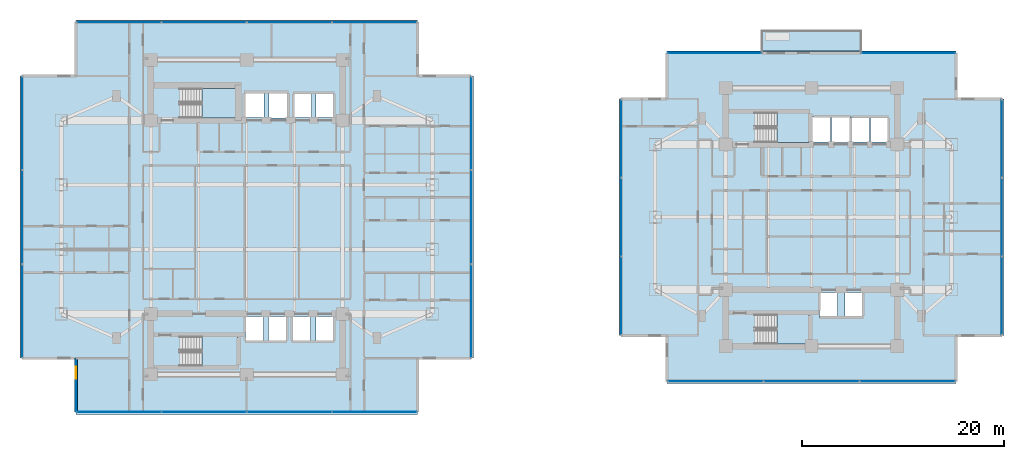
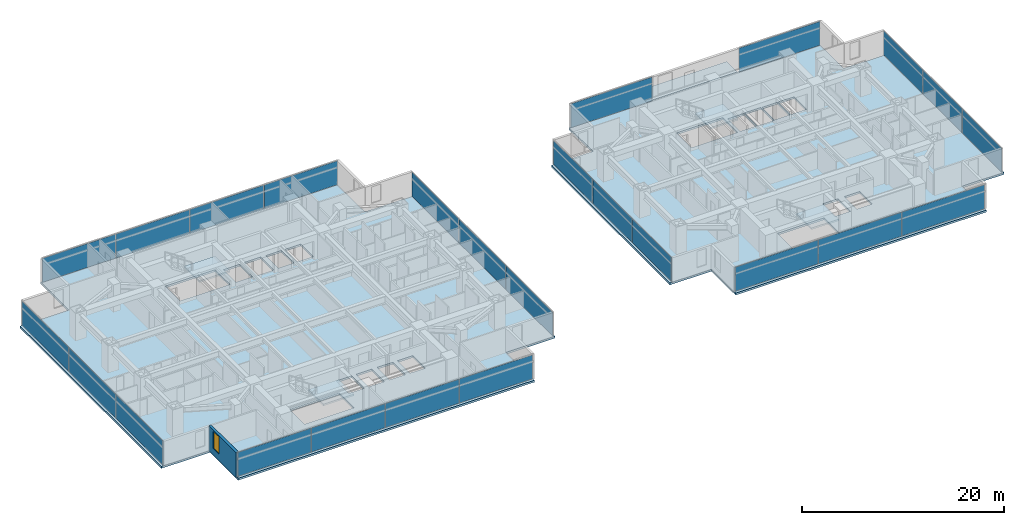
# One storey, part 12 of 24: 25 plates, 7 slabs, 1 wall, 1 window, 1 opening, 13 elements without a shape of their own.
"""IFC4 building model written with IfcOpenShell, lengths in metres."""

from ifc_helpers import new_model, si_unit, direction, frame, frame_2d, origin, origin_2d, place, context, subcontext, project, spatial, polyline, rectangle, outline, extrude, material, layer, layer_set, type_object, element, fill, aggregate, save


model = new_model("IFC4")

# Units and contexts
model_context = context("Model", 3, precision=1e-05, world=origin(), true_north=direction((0.0, 1.0)))
body_context = subcontext(model_context, "Body", "Model", "MODEL_VIEW")
ifc_project = project(units=[si_unit("LENGTHUNIT", "METRE"), si_unit("AREAUNIT", "SQUARE_METRE"), si_unit("VOLUMEUNIT", "CUBIC_METRE"), si_unit("PLANEANGLEUNIT", "RADIAN"), si_unit("MASSUNIT", "GRAM", prefix="KILO")], contexts=[model_context])

# Site, building, storey
site_placement = place(None, origin())
site = spatial("IfcSite", under=ifc_project, at=site_placement, CompositionType="ELEMENT")
building_placement = place(site_placement, origin())
building = spatial("IfcBuilding", under=site, at=building_placement, Name="Mirazonda Arch Towers", CompositionType="ELEMENT")
storey_placement = place(building_placement, frame((0.0, 0.0, 71.89990234375)))
storey = spatial("IfcBuildingStorey", under=building, at=storey_placement, Name="L20", CompositionType="ELEMENT", Elevation=71.89990234375)

# Curtain wall, plates
ifc_material_1 = material(Name="Anodised Aluminium and Low-E Glass", Category="aluminium")
curtain_wall_type = type_object("IfcCurtainWallType", Name="CW-HTL-UNIT", PredefinedType="NOTDEFINED", material=ifc_material_1)
curtain_wall_1_placement = place(storey_placement, origin())
curtain_wall_1 = element("IfcCurtainWall", 1, at=curtain_wall_1_placement, inside=storey, type_object=curtain_wall_type, Name="L20 T1 S Facade CW-L20-T1-S", PredefinedType="NOTDEFINED")
ifc_material_2 = material(Name="Insulated Low-E Solar Glass", Category="glass")
ifc_layer_1 = layer(ifc_material_2, 0.035888671875, Name="PAN-CW-HTL-UNIT")
ifc_layer_set_1 = layer_set([ifc_layer_1], Name="Insulated Low-E Solar Glass")
plate_type = type_object("IfcPlateType", Name="PAN-CW-HTL-UNIT", PredefinedType="CURTAIN_PANEL", material=ifc_layer_set_1)
plate_1_placement = place(storey_placement, frame((33.171142578125, 8.672119140625, 0.0751953125), z_axis=(0.0, 0.0, 1.0), x_axis=(-1.0, 0.0, 0.0)))
plate_1 = element("IfcPlate", 2, at=plate_1_placement, type_object=plate_type, Name="CW-112 panel 1.1", PredefinedType="CURTAIN_PANEL", context=body_context, shape_type="SweptSolid", body=[
    extrude(rectangle(XDim=8.347412109375, YDim=0.035888671875, at=origin_2d()), origin(), (0.0, 0.0, 1.0), 2.889892578125),
])
plate_2_placement = place(storey_placement, frame((24.72998046875, 8.672119140625, 0.0751953125), z_axis=(0.0, 0.0, 1.0), x_axis=(-1.0, 0.0, 0.0)))
plate_2 = element("IfcPlate", 3, at=plate_2_placement, type_object=plate_type, Name="CW-112 panel 2.1", PredefinedType="CURTAIN_PANEL", context=body_context, shape_type="SweptSolid", body=[
    extrude(rectangle(XDim=8.385009765625, YDim=0.035888671875, at=origin_2d()), origin(), (0.0, 0.0, 1.0), 2.889892578125),
])
plate_3_placement = place(storey_placement, frame((16.27001953125, 8.672119140625, 0.0751953125), z_axis=(0.0, 0.0, 1.0), x_axis=(-1.0, 0.0, 0.0)))
plate_3 = element("IfcPlate", 4, at=plate_3_placement, type_object=plate_type, Name="CW-112 panel 3.1", PredefinedType="CURTAIN_PANEL", context=body_context, shape_type="SweptSolid", body=[
    extrude(rectangle(XDim=8.385009765625, YDim=0.035888671875, at=origin_2d()), origin(), (0.0, 0.0, 1.0), 2.889892578125),
])
plate_4_placement = place(storey_placement, frame((7.828857421875, 8.672119140625, 0.0751953125), z_axis=(0.0, 0.0, 1.0), x_axis=(-1.0, 0.0, 0.0)))
plate_4 = element("IfcPlate", 5, at=plate_4_placement, type_object=plate_type, Name="CW-112 panel 4.1", PredefinedType="CURTAIN_PANEL", context=body_context, shape_type="SweptSolid", body=[
    extrude(rectangle(XDim=8.347412109375, YDim=0.035888671875, at=origin_2d()), origin(), (0.0, 0.0, 1.0), 2.889892578125),
])
aggregate(curtain_wall_1, [plate_1, plate_2, plate_3, plate_4])

curtain_wall_2_placement = place(storey_placement, origin())
curtain_wall_2 = element("IfcCurtainWall", 6, at=curtain_wall_2_placement, inside=storey, type_object=curtain_wall_type, Name="L20 T1 E Facade CW-L20-T1-E", PredefinedType="NOTDEFINED")
plate_5_placement = place(storey_placement, frame((42.760009765625, 18.693359375, 0.0751953125), z_axis=(0.0, 0.0, 1.0), x_axis=(0.0, 1.0, 0.0)))
plate_5 = element("IfcPlate", 7, at=plate_5_placement, type_object=plate_type, Name="CW-112 panel 1.1", PredefinedType="CURTAIN_PANEL", context=body_context, shape_type="SweptSolid", body=[
    extrude(rectangle(XDim=9.212890625, YDim=0.035888671875, at=origin_2d()), origin(), (0.0, 0.0, 1.0), 2.889892578125),
])
plate_6_placement = place(storey_placement, frame((42.760009765625, 28.0, 0.0751953125), z_axis=(0.0, 0.0, 1.0), x_axis=(0.0, 1.0, 0.0)))
plate_6 = element("IfcPlate", 8, at=plate_6_placement, type_object=plate_type, Name="CW-112 panel 2.1", PredefinedType="CURTAIN_PANEL", context=body_context, shape_type="SweptSolid", body=[
    extrude(rectangle(XDim=9.250244140625, YDim=0.035888671875, at=origin_2d()), origin(), (0.0, 0.0, 1.0), 2.889892578125),
])
plate_7_placement = place(storey_placement, frame((42.760009765625, 37.306640625, 0.0751953125), z_axis=(0.0, 0.0, 1.0), x_axis=(0.0, 1.0, 0.0)))
plate_7 = element("IfcPlate", 9, at=plate_7_placement, type_object=plate_type, Name="CW-112 panel 3.1", PredefinedType="CURTAIN_PANEL", context=body_context, shape_type="SweptSolid", body=[
    extrude(rectangle(XDim=9.212890625, YDim=0.035888671875, at=origin_2d()), origin(), (0.0, 0.0, 1.0), 2.889892578125),
])
aggregate(curtain_wall_2, [plate_5, plate_6, plate_7])

curtain_wall_3_placement = place(storey_placement, origin())
curtain_wall_3 = element("IfcCurtainWall", 10, at=curtain_wall_3_placement, inside=storey, type_object=curtain_wall_type, Name="L20 T1 N Facade CW-L20-T1-N", PredefinedType="NOTDEFINED")
plate_8_placement = place(storey_placement, frame((7.828857421875, 47.327880859375, 0.0751953125), z_axis=(0.0, 0.0, 1.0), x_axis=(1.0, 0.0, 0.0)))
plate_8 = element("IfcPlate", 11, at=plate_8_placement, type_object=plate_type, Name="CW-112 panel 1.1", PredefinedType="CURTAIN_PANEL", context=body_context, shape_type="SweptSolid", body=[
    extrude(rectangle(XDim=8.347412109375, YDim=0.035888671875, at=origin_2d()), origin(), (0.0, 0.0, 1.0), 2.889892578125),
])
plate_9_placement = place(storey_placement, frame((16.27001953125, 47.327880859375, 0.0751953125), z_axis=(0.0, 0.0, 1.0), x_axis=(1.0, 0.0, 0.0)))
plate_9 = element("IfcPlate", 12, at=plate_9_placement, type_object=plate_type, Name="CW-112 panel 2.1", PredefinedType="CURTAIN_PANEL", context=body_context, shape_type="SweptSolid", body=[
    extrude(rectangle(XDim=8.385009765625, YDim=0.035888671875, at=origin_2d()), origin(), (0.0, 0.0, 1.0), 2.889892578125),
])
plate_10_placement = place(storey_placement, frame((24.72998046875, 47.327880859375, 0.0751953125), z_axis=(0.0, 0.0, 1.0), x_axis=(1.0, 0.0, 0.0)))
plate_10 = element("IfcPlate", 13, at=plate_10_placement, type_object=plate_type, Name="CW-112 panel 3.1", PredefinedType="CURTAIN_PANEL", context=body_context, shape_type="SweptSolid", body=[
    extrude(rectangle(XDim=8.385009765625, YDim=0.035888671875, at=origin_2d()), origin(), (0.0, 0.0, 1.0), 2.889892578125),
])
plate_11_placement = place(storey_placement, frame((33.171142578125, 47.327880859375, 0.0751953125), z_axis=(0.0, 0.0, 1.0), x_axis=(1.0, 0.0, 0.0)))
plate_11 = element("IfcPlate", 14, at=plate_11_placement, type_object=plate_type, Name="CW-112 panel 4.1", PredefinedType="CURTAIN_PANEL", context=body_context, shape_type="SweptSolid", body=[
    extrude(rectangle(XDim=8.347412109375, YDim=0.035888671875, at=origin_2d()), origin(), (0.0, 0.0, 1.0), 2.889892578125),
])
aggregate(curtain_wall_3, [plate_8, plate_9, plate_10, plate_11])

curtain_wall_4_placement = place(storey_placement, origin())
curtain_wall_4 = element("IfcCurtainWall", 15, at=curtain_wall_4_placement, inside=storey, type_object=curtain_wall_type, Name="L20 T1 W Facade CW-L20-T1-W", PredefinedType="NOTDEFINED")
plate_12_placement = place(storey_placement, frame((-1.760009765625, 37.306640625, 0.0751953125), z_axis=(0.0, 0.0, 1.0), x_axis=(0.0, -1.0, 0.0)))
plate_12 = element("IfcPlate", 16, at=plate_12_placement, type_object=plate_type, Name="CW-112 panel 1.1", PredefinedType="CURTAIN_PANEL", context=body_context, shape_type="SweptSolid", body=[
    extrude(rectangle(XDim=9.212890625, YDim=0.035888671875, at=origin_2d()), origin(), (0.0, 0.0, 1.0), 2.889892578125),
])
plate_13_placement = place(storey_placement, frame((-1.760009765625, 28.0, 0.0751953125), z_axis=(0.0, 0.0, 1.0), x_axis=(0.0, -1.0, 0.0)))
plate_13 = element("IfcPlate", 17, at=plate_13_placement, type_object=plate_type, Name="CW-112 panel 2.1", PredefinedType="CURTAIN_PANEL", context=body_context, shape_type="SweptSolid", body=[
    extrude(rectangle(XDim=9.250244140625, YDim=0.035888671875, at=origin_2d()), origin(), (0.0, 0.0, 1.0), 2.889892578125),
])
plate_14_placement = place(storey_placement, frame((-1.760009765625, 18.693359375, 0.0751953125), z_axis=(0.0, 0.0, 1.0), x_axis=(0.0, -1.0, 0.0)))
plate_14 = element("IfcPlate", 18, at=plate_14_placement, type_object=plate_type, Name="CW-112 panel 3.1", PredefinedType="CURTAIN_PANEL", context=body_context, shape_type="SweptSolid", body=[
    extrude(rectangle(XDim=9.212890625, YDim=0.035888671875, at=origin_2d()), origin(), (0.0, 0.0, 1.0), 2.889892578125),
])
aggregate(curtain_wall_4, [plate_12, plate_13, plate_14])

curtain_wall_5_placement = place(storey_placement, origin())
curtain_wall_5 = element("IfcCurtainWall", 19, at=curtain_wall_5_placement, inside=storey, type_object=curtain_wall_type, Name="L20 T2 S Facade CW-L20-T2-S", PredefinedType="NOTDEFINED")
plate_15_placement = place(storey_placement, frame((86.029296875, 11.72412109375, 0.0751953125), z_axis=(0.0, 0.0, 1.0), x_axis=(-1.0, 0.0, 0.0)))
plate_15 = element("IfcPlate", 20, at=plate_15_placement, type_object=plate_type, Name="CW-112 panel 1.1", PredefinedType="CURTAIN_PANEL", context=body_context, shape_type="SweptSolid", body=[
    extrude(rectangle(XDim=9.435546875, YDim=0.035888671875, at=origin_2d()), origin(), (0.0, 0.0, 1.0), 2.889892578125),
])
plate_16_placement = place(storey_placement, frame((76.5, 11.72412109375, 0.0751953125), z_axis=(0.0, 0.0, 1.0), x_axis=(-1.0, 0.0, 0.0)))
plate_16 = element("IfcPlate", 21, at=plate_16_placement, type_object=plate_type, Name="CW-112 panel 2.1", PredefinedType="CURTAIN_PANEL", context=body_context, shape_type="SweptSolid", body=[
    extrude(rectangle(XDim=9.472900390625, YDim=0.035888671875, at=origin_2d()), origin(), (0.0, 0.0, 1.0), 2.889892578125),
])
plate_17_placement = place(storey_placement, frame((66.970703125, 11.72412109375, 0.0751953125), z_axis=(0.0, 0.0, 1.0), x_axis=(-1.0, 0.0, 0.0)))
plate_17 = element("IfcPlate", 22, at=plate_17_placement, type_object=plate_type, Name="CW-112 panel 3.1", PredefinedType="CURTAIN_PANEL", context=body_context, shape_type="SweptSolid", body=[
    extrude(rectangle(XDim=9.435546875, YDim=0.035888671875, at=origin_2d()), origin(), (0.0, 0.0, 1.0), 2.889892578125),
])
aggregate(curtain_wall_5, [plate_15, plate_16, plate_17])

curtain_wall_6_placement = place(storey_placement, origin())
curtain_wall_6 = element("IfcCurtainWall", 23, at=curtain_wall_6_placement, inside=storey, type_object=curtain_wall_type, Name="L20 T2 E Facade CW-L20-T2-E", PredefinedType="NOTDEFINED")
plate_18_placement = place(storey_placement, frame((95.367919921875, 20.198974609375, 0.0751953125), z_axis=(0.0, 0.0, 1.0), x_axis=(0.0, 1.0, 0.0)))
plate_18 = element("IfcPlate", 24, at=plate_18_placement, type_object=plate_type, Name="CW-112 panel 1.1", PredefinedType="CURTAIN_PANEL", context=body_context, shape_type="SweptSolid", body=[
    extrude(rectangle(XDim=7.707275390625, YDim=0.035888671875, at=origin_2d()), origin(), (0.0, 0.0, 1.0), 2.889892578125),
])
plate_19_placement = place(storey_placement, frame((95.367919921875, 28.0, 0.0751953125), z_axis=(0.0, 0.0, 1.0), x_axis=(0.0, 1.0, 0.0)))
plate_19 = element("IfcPlate", 25, at=plate_19_placement, type_object=plate_type, Name="CW-112 panel 2.1", PredefinedType="CURTAIN_PANEL", context=body_context, shape_type="SweptSolid", body=[
    extrude(rectangle(XDim=7.744873046875, YDim=0.035888671875, at=origin_2d()), origin(), (0.0, 0.0, 1.0), 2.889892578125),
])
plate_20_placement = place(storey_placement, frame((95.367919921875, 35.801025390625, 0.0751953125), z_axis=(0.0, 0.0, 1.0), x_axis=(0.0, 1.0, 0.0)))
plate_20 = element("IfcPlate", 26, at=plate_20_placement, type_object=plate_type, Name="CW-112 panel 3.1", PredefinedType="CURTAIN_PANEL", context=body_context, shape_type="SweptSolid", body=[
    extrude(rectangle(XDim=7.707275390625, YDim=0.035888671875, at=origin_2d()), origin(), (0.0, 0.0, 1.0), 2.889892578125),
])
aggregate(curtain_wall_6, [plate_18, plate_19, plate_20])

# Curtain wall, plate
curtain_wall_7_placement = place(storey_placement, origin())
curtain_wall_7 = element("IfcCurtainWall", 27, at=curtain_wall_7_placement, inside=storey, type_object=curtain_wall_type, Name="L20 Curtain Wall CW-L20-T2-NA", PredefinedType="NOTDEFINED")
plate_21_placement = place(storey_placement, frame((66.89404296875, 44.27587890625, 0.0751953125), z_axis=(0.0, 0.0, 1.0), x_axis=(1.0, 0.0, 0.0)))
plate_21 = element("IfcPlate", 28, at=plate_21_placement, type_object=plate_type, Name="CW-112 panel 1.1", PredefinedType="CURTAIN_PANEL", context=body_context, shape_type="SweptSolid", body=[
    extrude(rectangle(XDim=9.281982421875, YDim=0.035888671875, at=origin_2d()), origin(), (0.0, 0.0, 1.0), 2.889892578125),
])
aggregate(curtain_wall_7, [plate_21])

curtain_wall_8_placement = place(storey_placement, origin())
curtain_wall_8 = element("IfcCurtainWall", 29, at=curtain_wall_8_placement, inside=storey, type_object=curtain_wall_type, Name="L20 Curtain Wall CW-L20-T2-NB", PredefinedType="NOTDEFINED")
plate_22_placement = place(storey_placement, frame((86.10595703125, 44.27587890625, 0.0751953125), z_axis=(0.0, 0.0, 1.0), x_axis=(1.0, 0.0, 0.0)))
plate_22 = element("IfcPlate", 30, at=plate_22_placement, type_object=plate_type, Name="CW-112 panel 1.1", PredefinedType="CURTAIN_PANEL", context=body_context, shape_type="SweptSolid", body=[
    extrude(rectangle(XDim=9.281982421875, YDim=0.035888671875, at=origin_2d()), origin(), (0.0, 0.0, 1.0), 2.889892578125),
])
aggregate(curtain_wall_8, [plate_22])

# Curtain wall, plates
curtain_wall_9_placement = place(storey_placement, origin())
curtain_wall_9 = element("IfcCurtainWall", 31, at=curtain_wall_9_placement, inside=storey, type_object=curtain_wall_type, Name="L20 T2 W Facade CW-L20-T2-W", PredefinedType="NOTDEFINED")
plate_23_placement = place(storey_placement, frame((57.632080078125, 35.801025390625, 0.0751953125), z_axis=(0.0, 0.0, 1.0), x_axis=(0.0, -1.0, 0.0)))
plate_23 = element("IfcPlate", 32, at=plate_23_placement, type_object=plate_type, Name="CW-112 panel 1.1", PredefinedType="CURTAIN_PANEL", context=body_context, shape_type="SweptSolid", body=[
    extrude(rectangle(XDim=7.707275390625, YDim=0.035888671875, at=origin_2d()), origin(), (0.0, 0.0, 1.0), 2.889892578125),
])
plate_24_placement = place(storey_placement, frame((57.632080078125, 28.0, 0.0751953125), z_axis=(0.0, 0.0, 1.0), x_axis=(0.0, -1.0, 0.0)))
plate_24 = element("IfcPlate", 33, at=plate_24_placement, type_object=plate_type, Name="CW-112 panel 2.1", PredefinedType="CURTAIN_PANEL", context=body_context, shape_type="SweptSolid", body=[
    extrude(rectangle(XDim=7.744873046875, YDim=0.035888671875, at=origin_2d()), origin(), (0.0, 0.0, 1.0), 2.889892578125),
])
plate_25_placement = place(storey_placement, frame((57.632080078125, 20.198974609375, 0.0751953125), z_axis=(0.0, 0.0, 1.0), x_axis=(0.0, -1.0, 0.0)))
plate_25 = element("IfcPlate", 34, at=plate_25_placement, type_object=plate_type, Name="CW-112 panel 3.1", PredefinedType="CURTAIN_PANEL", context=body_context, shape_type="SweptSolid", body=[
    extrude(rectangle(XDim=7.707275390625, YDim=0.035888671875, at=origin_2d()), origin(), (0.0, 0.0, 1.0), 2.889892578125),
])
aggregate(curtain_wall_9, [plate_23, plate_24, plate_25])

# Stair, slab
ifc_material_3 = material(Name="Concrete C40/50", Category="concrete")
stair_type = type_object("IfcStairType", Name="STAIR-CORE-1400", PredefinedType="HALF_TURN_STAIR", material=ifc_material_3)
stair_1_placement = place(storey_placement, origin())
stair_1 = element("IfcStair", 35, at=stair_1_placement, inside=storey, type_object=stair_type, Name="L20 Protected Exit Stair ST-T1N", PredefinedType="HALF_TURN_STAIR")
ifc_layer_2 = layer(ifc_material_3, 0.18994140625, Name="SLAB-LANDING-190")
ifc_layer_set_2 = layer_set([ifc_layer_2], Name="Concrete C40/50")
slab_type_1 = type_object("IfcSlabType", Name="SLAB-LANDING-190", PredefinedType="LANDING", material=ifc_layer_set_2)
slab_1_placement = place(storey_placement, frame((0.0, 0.0, 1.4501953125)))
slab_1 = element("IfcSlab", 36, at=slab_1_placement, type_object=slab_type_1, Name="ST-T1N landing 1", PredefinedType="LANDING", context=body_context, shape_type="SweptSolid", body=[
    extrude(outline(polyline([(16.090087890625, 37.820068359375), (19.60009765625, 37.820068359375), (19.60009765625, 40.760009765625), (16.090087890625, 40.760009765625), (16.090087890625, 37.820068359375)])), origin(), (0.0, 0.0, 1.0), 0.199951171875),
])
aggregate(stair_1, [slab_1])

stair_2_placement = place(storey_placement, origin())
stair_2 = element("IfcStair", 37, at=stair_2_placement, inside=storey, type_object=stair_type, Name="L20 Protected Exit Stair ST-T1S", PredefinedType="HALF_TURN_STAIR")
slab_2_placement = place(storey_placement, frame((0.0, 0.0, 1.4501953125)))
slab_2 = element("IfcSlab", 38, at=slab_2_placement, type_object=slab_type_1, Name="ST-T1S landing 1", PredefinedType="LANDING", context=body_context, shape_type="SweptSolid", body=[
    extrude(outline(polyline([(16.090087890625, 13.25), (19.60009765625, 13.25), (19.60009765625, 16.18994140625), (16.090087890625, 16.18994140625), (16.090087890625, 13.25)])), origin(), (0.0, 0.0, 1.0), 0.199951171875),
])
aggregate(stair_2, [slab_2])

stair_3_placement = place(storey_placement, origin())
stair_3 = element("IfcStair", 39, at=stair_3_placement, inside=storey, type_object=stair_type, Name="L20 Protected Exit Stair ST-T2N", PredefinedType="HALF_TURN_STAIR")
slab_3_placement = place(storey_placement, frame((0.0, 0.0, 1.4501953125)))
slab_3 = element("IfcSlab", 40, at=slab_3_placement, type_object=slab_type_1, Name="ST-T2N landing 1", PredefinedType="LANDING", context=body_context, shape_type="SweptSolid", body=[
    extrude(outline(polyline([(73.090087890625, 35.419921875), (76.22998046875, 35.419921875), (76.22998046875, 38.360107421875), (73.090087890625, 38.360107421875), (73.090087890625, 35.419921875)])), origin(), (0.0, 0.0, 1.0), 0.199951171875),
])
aggregate(stair_3, [slab_3])

stair_4_placement = place(storey_placement, origin())
stair_4 = element("IfcStair", 41, at=stair_4_placement, inside=storey, type_object=stair_type, Name="L20 Protected Exit Stair ST-T2S", PredefinedType="HALF_TURN_STAIR")
slab_4_placement = place(storey_placement, frame((0.0, 0.0, 1.4501953125)))
slab_4 = element("IfcSlab", 42, at=slab_4_placement, type_object=slab_type_1, Name="ST-T2S landing 1", PredefinedType="LANDING", context=body_context, shape_type="SweptSolid", body=[
    extrude(outline(polyline([(73.090087890625, 15.419921875), (76.22998046875, 15.419921875), (76.22998046875, 18.360107421875), (73.090087890625, 18.360107421875), (73.090087890625, 15.419921875)])), origin(), (0.0, 0.0, 1.0), 0.199951171875),
])
aggregate(stair_4, [slab_4])

# Slabs
ifc_layer_3 = layer(ifc_material_3, 0.2099609375, Name="SLAB-TERRACE-210")
ifc_layer_set_3 = layer_set([ifc_layer_3], Name="Concrete C40/50")
slab_type_2 = type_object("IfcSlabType", Name="SLAB-TERRACE-210", PredefinedType="FLOOR", material=ifc_layer_set_3)
slab_5_placement = place(storey_placement, frame((0.0, 0.0, -0.2099609375)))
element("IfcSlab", 43, at=slab_5_placement, inside=storey, type_object=slab_type_2, Name="L20 T2 Spiralling Sky-Terrace Balcony Slab", PredefinedType="FLOOR", context=body_context, shape_type="SweptSolid", body=[
    extrude(outline(polyline([(71.60009765625, 44.48583984375), (81.39990234375, 44.48583984375), (81.39990234375, 46.5458984375), (71.60009765625, 46.5458984375), (71.60009765625, 44.48583984375)])), origin(), (0.0, 0.0, 1.0), 0.2099609375),
])
ifc_layer_4 = layer(ifc_material_3, 0.239990234375, Name="SLAB-TWR-240")
ifc_layer_set_4 = layer_set([ifc_layer_4], Name="Concrete C40/50")
slab_type_3 = type_object("IfcSlabType", Name="SLAB-TWR-240", PredefinedType="FLOOR", material=ifc_layer_set_4)
slab_6_placement = place(storey_placement, frame((0.0, 0.0, -0.239990234375)))
element("IfcSlab", 44, at=slab_6_placement, inside=storey, type_object=slab_type_3, Name="L20 Tower 1 Floor Slab", PredefinedType="FLOOR", context=body_context, shape_type="SweptSolid", body=[
    extrude(outline(polyline([(3.580078125, 8.451904296875), (37.419921875, 8.451904296875), (37.419921875, 14.011962890625), (42.97998046875, 14.011962890625), (42.97998046875, 41.988037109375), (37.419921875, 41.988037109375), (37.419921875, 47.548095703125), (3.580078125, 47.548095703125), (3.580078125, 41.988037109375), (-1.97998046875, 41.988037109375), (-1.97998046875, 14.011962890625), (3.580078125, 14.011962890625), (3.580078125, 8.451904296875)]), holes=[polyline([(29.139892578125, 18.139892578125), (29.139892578125, 15.659912109375), (27.360107421875, 15.659912109375), (27.360107421875, 18.139892578125), (29.139892578125, 18.139892578125)]), polyline([(29.139892578125, 40.340087890625), (29.139892578125, 37.860107421875), (27.360107421875, 37.860107421875), (27.360107421875, 40.340087890625), (29.139892578125, 40.340087890625)]), polyline([(25.159912109375, 40.340087890625), (26.93994140625, 40.340087890625), (26.93994140625, 37.860107421875), (25.159912109375, 37.860107421875), (25.159912109375, 40.340087890625)]), polyline([(26.840087890625, 18.139892578125), (26.840087890625, 15.659912109375), (25.06005859375, 15.659912109375), (25.06005859375, 18.139892578125), (26.840087890625, 18.139892578125)]), polyline([(22.7099609375, 40.389892578125), (24.590087890625, 40.389892578125), (24.590087890625, 37.81005859375), (22.7099609375, 37.81005859375), (22.7099609375, 40.389892578125)]), polyline([(22.659912109375, 18.139892578125), (24.43994140625, 18.139892578125), (24.43994140625, 15.659912109375), (22.659912109375, 15.659912109375), (22.659912109375, 18.139892578125)]), polyline([(20.31005859375, 40.340087890625), (22.18994140625, 40.340087890625), (22.18994140625, 37.860107421875), (20.31005859375, 37.860107421875), (20.31005859375, 40.340087890625)]), polyline([(20.360107421875, 18.139892578125), (22.139892578125, 18.139892578125), (22.139892578125, 15.659912109375), (20.360107421875, 15.659912109375), (20.360107421875, 18.139892578125)]), polyline([(13.925048828125, 40.760009765625), (19.60009765625, 40.760009765625), (19.60009765625, 37.820068359375), (13.925048828125, 37.820068359375), (13.925048828125, 40.760009765625)]), polyline([(13.925048828125, 13.25), (13.925048828125, 16.18994140625), (19.60009765625, 16.18994140625), (19.60009765625, 13.25), (13.925048828125, 13.25)])]), origin(), (0.0, 0.0, 1.0), 0.239990234375),
])
slab_7_placement = place(storey_placement, frame((0.0, 0.0, -0.239990234375)))
element("IfcSlab", 45, at=slab_7_placement, inside=storey, type_object=slab_type_3, Name="L20 Tower 2 Floor Slab", PredefinedType="FLOOR", context=body_context, shape_type="SweptSolid", body=[
    extrude(outline(polyline([(62.177978515625, 11.504150390625), (90.822021484375, 11.504150390625), (90.822021484375, 16.270263671875), (95.587890625, 16.270263671875), (95.587890625, 39.729736328125), (90.822021484375, 39.729736328125), (90.822021484375, 44.495849609375), (62.177978515625, 44.495849609375), (62.177978515625, 39.729736328125), (57.412109375, 39.729736328125), (57.412109375, 16.270263671875), (62.177978515625, 16.270263671875), (62.177978515625, 11.504150390625)]), holes=[polyline([(82.330078125, 37.93994140625), (84.110107421875, 37.93994140625), (84.110107421875, 35.4599609375), (82.330078125, 35.4599609375), (82.330078125, 37.93994140625)]), polyline([(80.449951171875, 37.93994140625), (82.22998046875, 37.93994140625), (82.22998046875, 35.4599609375), (80.449951171875, 35.4599609375), (80.449951171875, 37.93994140625)]), polyline([(79.81005859375, 20.5400390625), (81.590087890625, 20.5400390625), (81.590087890625, 18.06005859375), (79.81005859375, 18.06005859375), (79.81005859375, 20.5400390625)]), polyline([(78.47998046875, 37.989990234375), (80.360107421875, 37.989990234375), (80.360107421875, 35.409912109375), (78.47998046875, 35.409912109375), (78.47998046875, 37.989990234375)]), polyline([(77.31005859375, 20.5400390625), (79.090087890625, 20.5400390625), (79.090087890625, 18.06005859375), (77.31005859375, 18.06005859375), (77.31005859375, 20.5400390625)]), polyline([(76.510009765625, 37.93994140625), (78.389892578125, 37.93994140625), (78.389892578125, 35.4599609375), (76.510009765625, 35.4599609375), (76.510009765625, 37.93994140625)]), polyline([(70.925048828125, 15.419921875), (70.925048828125, 18.360107421875), (76.22998046875, 18.360107421875), (76.22998046875, 15.419921875), (70.925048828125, 15.419921875)]), polyline([(70.925048828125, 35.419921875), (70.925048828125, 38.360107421875), (76.22998046875, 38.360107421875), (76.22998046875, 35.419921875), (70.925048828125, 35.419921875)])]), origin(), (0.0, 0.0, 1.0), 0.239990234375),
])

# Wall, opening, window
ifc_material_4 = material(Name="Precast Concrete C40/50", Category="concrete")
ifc_layer_5 = layer(ifc_material_4, 0.280029296875, Name="WALL-EXT-WALL-280")
ifc_layer_set_5 = layer_set([ifc_layer_5], Name="Precast Concrete C40/50")
wall_type = type_object("IfcWallType", Name="WALL-EXT-WALL-280", PredefinedType="SOLIDWALL", material=ifc_layer_set_5)
wall_placement = place(storey_placement, frame((3.580078125, 14.011962890625, 0.0), z_axis=(0.0, 0.0, 1.0), x_axis=(0.0, -1.0, 0.0)))
wall = element("IfcWall", 46, at=wall_placement, inside=storey, type_object=wall_type, Name="L20 T1 Notched SW Corner Wall WL-L20-T1-CSW", PredefinedType="SOLIDWALL", context=body_context, shape_type="SweptSolid", body=[
    extrude(rectangle(XDim=5.33984375, YDim=0.280029296875, at=frame_2d((2.669921875, 0.0))), origin(), (0.0, 0.0, 1.0), 3.0400390625),
])
opening_placement = place(wall_placement, frame((0.85009765625, 0.0, 0.7900390625)))
opening = element("IfcOpeningElement", 47, at=opening_placement, cuts=wall, Name="Opening WN-122", PredefinedType="OPENING", context=body_context, shape_type="SweptSolid", body=[
    extrude(rectangle(XDim=1.199951171875, YDim=2.10009765625, at=frame_2d((0.60009765625, 1.050048828125))), frame((0.0, 0.14990234375, 0.0), z_axis=(0.0, -1.0, 0.0), x_axis=(1.0, 0.0, 0.0)), (0.0, 0.0, 1.0), 0.300048828125),
])
window_type = type_object("IfcWindowType", Name="WIN-HTL-1200x2100", PartitioningType="SINGLE_PANEL", PredefinedType="WINDOW", material=ifc_material_2)
window_placement = place(opening_placement, origin())
window = element("IfcWindow", 48, at=window_placement, inside=storey, type_object=window_type, Name="L20 Punched Facade Window WN-L20-T1-CSW", OverallHeight=2.10009765625, OverallWidth=1.199951171875, PartitioningType="SINGLE_PANEL", PredefinedType="WINDOW", context=body_context, shape_type="SweptSolid", body=[
    extrude(rectangle(XDim=1.199951171875, YDim=2.10009765625, at=frame_2d((0.60009765625, 1.050048828125))), frame((0.0, 0.030029296875, 0.0), z_axis=(0.0, -1.0, 0.0), x_axis=(1.0, 0.0, 0.0)), (0.0, 0.0, 1.0), 0.06005859375),
])
fill(opening, window)

save(model, "model.ifc")
